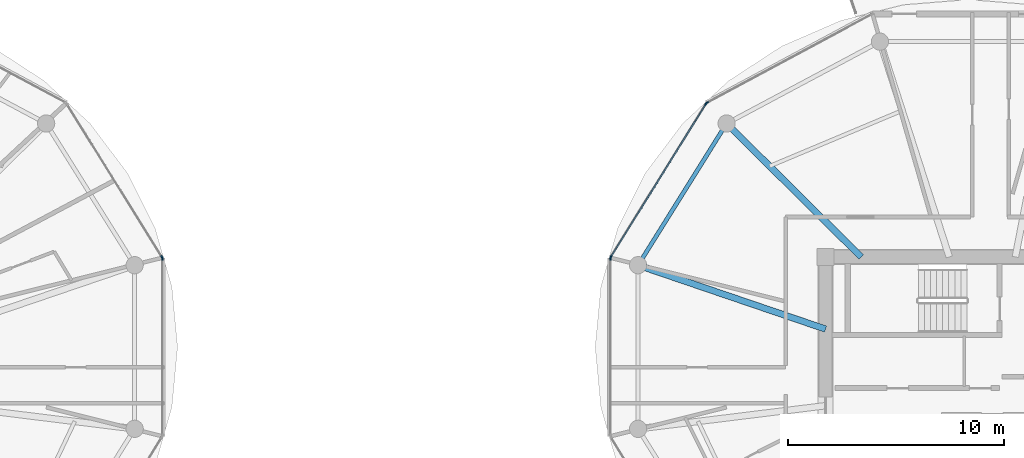
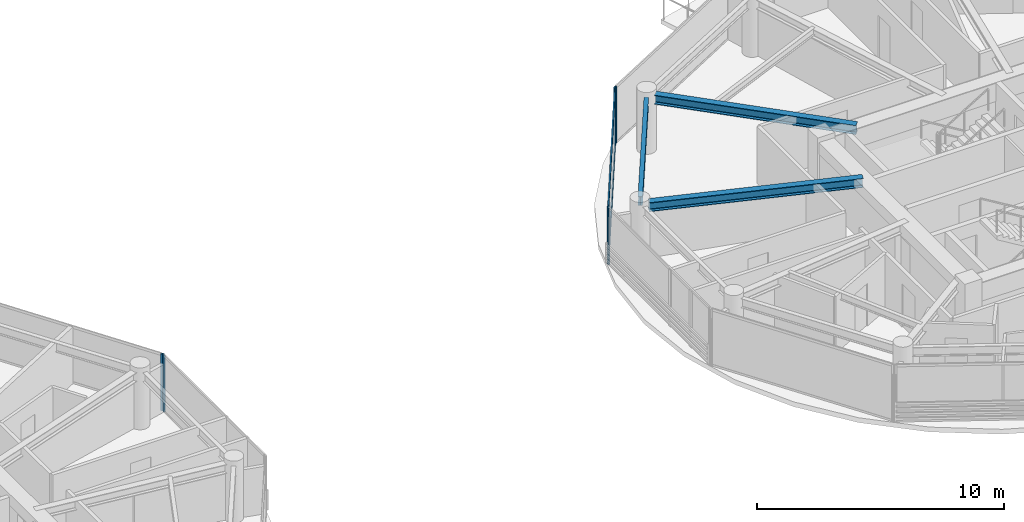
# One storey, part 7 of 22: 8 members, 3 beams, 5 elements without a shape of their own.
"""IFC4 building model written with IfcOpenShell, lengths in metres."""

import ifcopenshell
import ifcopenshell.guid

model = None  # the IFC model being written
_history = None  # IfcOwnerHistory: only IFC2X3 demands one
_inside = {}  # id of a spatial element -> (the spatial element, [elements in it])
_under = {}  # id of a project, library or spatial element -> (it, [spatial elements below it])
_declared = {}  # id of a project -> (the project, [libraries it declares])
_typed = {}  # id of a type object -> (the type object, [elements of that type])
_made_of = {}  # id of a material, layer set ... -> (it, [elements and type objects made of it])


def new_model(schema):
    """Start an empty IFC model of exactly this schema.

    Asked for "IFC4X3", IfcOpenShell would pick the latest addendum, in which some entities
    have other attributes; the version numbers below select the first issue.
    IFC2X3 requires an IfcOwnerHistory on every rooted entity: one is made here for all.
    """
    global model, _history
    if schema == "IFC4X3":
        model = ifcopenshell.file(schema_version=(4, 3, 0, 0))
    else:
        model = ifcopenshell.file(schema=schema)
    _inside.clear()
    _under.clear()
    _declared.clear()
    _typed.clear()
    _made_of.clear()
    _history = None
    if model.schema == "IFC2X3":
        org = make("IfcOrganization", Name="unknown")
        user = make(
            "IfcPersonAndOrganization",
            ThePerson=make("IfcPerson", FamilyName="unknown"),
            TheOrganization=org,
        )
        app = make(
            "IfcApplication",
            ApplicationDeveloper=org,
            Version="unknown",
            ApplicationFullName="unknown",
            ApplicationIdentifier="unknown",
        )
        _history = make(
            "IfcOwnerHistory",
            OwningUser=user,
            OwningApplication=app,
            ChangeAction="ADDED",
            CreationDate=0,
        )
    return model


def make(cls, **values):
    """One entity of the class cls with the attributes given. An attribute that is None is left unset."""
    return model.create_entity(
        cls, **{name: value for name, value in values.items() if value is not None}
    )


def rooted(cls, **values):
    """An entity with a GlobalId (a new one), such as an element, a storey or a relation."""
    return make(cls, GlobalId=ifcopenshell.guid.new(), OwnerHistory=_history, **values)


def si_unit(unit_type, name, prefix=None):
    """IfcSIUnit, for example si_unit("LENGTHUNIT", "METRE", prefix="MILLI")."""
    return make("IfcSIUnit", UnitType=unit_type, Prefix=prefix, Name=name)


def assignment(units):
    """IfcUnitAssignment: the units of a project."""
    return None if units is None else make("IfcUnitAssignment", Units=units)


def point(xyz):
    """IfcCartesianPoint."""
    return None if xyz is None else make("IfcCartesianPoint", Coordinates=xyz)


def direction(xyz):
    """IfcDirection."""
    return None if xyz is None else make("IfcDirection", DirectionRatios=xyz)


def frame(location, z_axis=None, x_axis=None):
    """IfcAxis2Placement3D, a coordinate frame: its origin and axes. An axis left out is left unset."""
    return make(
        "IfcAxis2Placement3D",
        Location=point(location),
        Axis=direction(z_axis),
        RefDirection=direction(x_axis),
    )


def frame_2d(location, x_axis=None):
    """IfcAxis2Placement2D, a coordinate frame in the plane: its origin and x axis."""
    return make(
        "IfcAxis2Placement2D", Location=point(location), RefDirection=direction(x_axis)
    )


def origin():
    """The frame at (0, 0, 0) with its axes left unset."""
    return frame((0.0, 0.0, 0.0))


def origin_2d():
    """The frame at (0, 0) in the plane with its x axis left unset."""
    return frame_2d((0.0, 0.0))


def place(relative_to, where):
    """IfcLocalPlacement: puts the frame where relative to a parent placement (None: the world)."""
    return make(
        "IfcLocalPlacement", PlacementRelTo=relative_to, RelativePlacement=where
    )


def context(
    kind, dimensions, precision=None, world=None, true_north=None, identifier=None
):
    """IfcGeometricRepresentationContext, for example the 3D "Model" context."""
    return make(
        "IfcGeometricRepresentationContext",
        ContextIdentifier=identifier,
        ContextType=kind,
        CoordinateSpaceDimension=dimensions,
        Precision=precision,
        WorldCoordinateSystem=world,
        TrueNorth=true_north,
    )


def subcontext(parent, identifier, kind, view, scale=None):
    """IfcGeometricRepresentationSubContext, for example "Body" below "Model"."""
    return make(
        "IfcGeometricRepresentationSubContext",
        ContextIdentifier=identifier,
        ContextType=kind,
        ParentContext=parent,
        TargetScale=scale,
        TargetView=view,
    )


def project(units=None, contexts=None):
    """IfcProject with its units and contexts."""
    return rooted(
        "IfcProject",
        Name="project",
        RepresentationContexts=contexts,
        UnitsInContext=assignment(units),
    )


def spatial(cls, under=None, at=None, **own):
    """A site, building, storey or space (cls), placed at a placement, below another one or the project."""
    s = rooted(cls, ObjectPlacement=at, **own)
    if under is not None:
        _under.setdefault(under.id(), (under, []))[1].append(s)
    return s


def profile(cls, at=None, kind="AREA", **sizes):
    """A parametric profile (cls). Its sizes go by their IFC names, for example OverallWidth=200.0."""
    return make(cls, ProfileType=kind, Position=at, **sizes)


def rectangle(**sizes):
    """IfcRectangleProfileDef."""
    return profile("IfcRectangleProfileDef", **sizes)


def i_section(**sizes):
    """IfcIShapeProfileDef."""
    return profile("IfcIShapeProfileDef", **sizes)


def extrude(swept, where, along, depth):
    """IfcExtrudedAreaSolid: the profile swept, set in the frame where, extruded along a direction by depth."""
    return make(
        "IfcExtrudedAreaSolid",
        SweptArea=swept,
        Position=where,
        ExtrudedDirection=direction(along),
        Depth=depth,
    )


def shape(context_of_items, identifier, shape_type, items):
    """IfcShapeRepresentation: the items that make up one representation, for example the "Body"."""
    return make(
        "IfcShapeRepresentation",
        ContextOfItems=context_of_items,
        RepresentationIdentifier=identifier,
        RepresentationType=shape_type,
        Items=items,
    )


def source(mapping_origin, context_of_items, identifier, shape_type, items):
    """IfcRepresentationMap: a shape defined once, which mapped items show again and again."""
    return make(
        "IfcRepresentationMap",
        MappingOrigin=mapping_origin,
        MappedRepresentation=shape(context_of_items, identifier, shape_type, items),
    )


def transform(
    local_origin,
    x_axis=None,
    y_axis=None,
    z_axis=None,
    scale=None,
    scale2=None,
    scale3=None,
    uniform=True,
):
    """IfcCartesianTransformationOperator3D, or its non-uniform kind. x_axis, y_axis, z_axis: its Axis1, 2, 3."""
    if uniform:
        return make(
            "IfcCartesianTransformationOperator3D",
            Axis1=direction(x_axis),
            Axis2=direction(y_axis),
            LocalOrigin=point(local_origin),
            Scale=scale,
            Axis3=direction(z_axis),
        )
    return make(
        "IfcCartesianTransformationOperator3DnonUniform",
        Axis1=direction(x_axis),
        Axis2=direction(y_axis),
        LocalOrigin=point(local_origin),
        Scale=scale,
        Axis3=direction(z_axis),
        Scale2=scale2,
        Scale3=scale3,
    )


def mapped(mapping_source, mapping_target):
    """IfcMappedItem: shows the shape of a source again, moved by a transform."""
    return make(
        "IfcMappedItem", MappingSource=mapping_source, MappingTarget=mapping_target
    )


def material(Name=None, Category=None):
    """IfcMaterial."""
    return make("IfcMaterial", Name=Name, Category=Category)


def layer(
    of_material, thickness, ventilated=None, Name=None, Category=None, Priority=None
):
    """IfcMaterialLayer: one layer of a wall or slab, of a material (None: an air gap)."""
    return make(
        "IfcMaterialLayer",
        Material=of_material,
        LayerThickness=thickness,
        IsVentilated=ventilated,
        Name=Name,
        Category=Category,
        Priority=Priority,
    )


def layer_set(layers, Name=None):
    """IfcMaterialLayerSet."""
    return make("IfcMaterialLayerSet", MaterialLayers=layers, LayerSetName=Name)


def material_profile(
    of_material, cross_section, Name=None, Category=None, Priority=None
):
    """IfcMaterialProfile: a cross section and its material."""
    return make(
        "IfcMaterialProfile",
        Name=Name,
        Material=of_material,
        Profile=cross_section,
        Priority=Priority,
        Category=Category,
    )


def profile_set(profiles, Name=None, composite=None):
    """IfcMaterialProfileSet."""
    return make(
        "IfcMaterialProfileSet",
        Name=Name,
        MaterialProfiles=profiles,
        CompositeProfile=composite,
    )


def made_of(thing, what):
    """Note that an element or type object is made of a material, layer set ...; save() writes the relation."""
    if what is not None:
        _made_of.setdefault(what.id(), (what, []))[1].append(thing)
    return thing


def type_object(cls, material=None, **own):
    """A type object (cls), such as IfcWallType, which elements share."""
    return made_of(rooted(cls, **own), material)


def type_shapes(of_type, sources):
    """Give a type object the sources (RepresentationMaps) that its elements show as mapped items."""
    of_type.RepresentationMaps = sources


def element(
    cls,
    number,
    at=None,
    inside=None,
    cuts=None,
    type_object=None,
    material=None,
    context=None,
    identifier="Body",
    shape_type=None,
    held_by="IfcProductDefinitionShape",
    body=None,
    shapes=None,
    **own,
):
    """One element of the class cls, such as IfcWall. Its Tag is "e" and its number.

    at: its placement. inside: the storey or other place that contains it. cuts: it is an
    opening in that element (IfcRelVoidsElement). A single representation is given by context,
    identifier, shape_type and body (its items); several are given by shapes. held_by: the class
    of the entity that holds the representations. save() writes the other relations.
    """
    e = rooted(cls, Tag="e%d" % number, ObjectPlacement=at, **own)
    if body is not None:
        shapes = [shape(context, identifier, shape_type, body)]
    if shapes is not None:
        e.Representation = make(held_by, Representations=shapes)
    if inside is not None:
        _inside.setdefault(inside.id(), (inside, []))[1].append(e)
    if cuts is not None:
        rooted(
            "IfcRelVoidsElement", RelatingBuildingElement=cuts, RelatedOpeningElement=e
        )
    if type_object is not None:
        _typed.setdefault(type_object.id(), (type_object, []))[1].append(e)
    return made_of(e, material)


def aggregate(whole, parts):
    """IfcRelAggregates: a whole, such as a stair, and the parts it consists of."""
    return rooted("IfcRelAggregates", RelatingObject=whole, RelatedObjects=parts)


def save(model, path):
    """Write the relations noted so far, then the file.

    IfcRelAggregates (storeys below a building ...), IfcRelContainedInSpatialStructure (elements
    in a storey), IfcRelDefinesByType, IfcRelAssociatesMaterial and IfcRelDeclares: one each for
    every whole, place, type object, material and project.
    """
    for whole, parts in _under.values():
        aggregate(whole, parts)
    for where, things in _inside.values():
        rooted(
            "IfcRelContainedInSpatialStructure",
            RelatedElements=things,
            RelatingStructure=where,
        )
    for kind, things in _typed.values():
        rooted("IfcRelDefinesByType", RelatedObjects=things, RelatingType=kind)
    for what, things in _made_of.values():
        rooted("IfcRelAssociatesMaterial", RelatedObjects=things, RelatingMaterial=what)
    for by, libraries in _declared.values():
        rooted("IfcRelDeclares", RelatingContext=by, RelatedDefinitions=libraries)
    model.write(path)


model = new_model("IFC4")

# Units and contexts
model_context = context("Model", 3, precision=1e-05, world=origin(), true_north=direction((0.0, 1.0)))
body_context = subcontext(model_context, "Body", "Model", "MODEL_VIEW")
ifc_project = project(units=[si_unit("LENGTHUNIT", "METRE"), si_unit("AREAUNIT", "SQUARE_METRE"), si_unit("VOLUMEUNIT", "CUBIC_METRE"), si_unit("PLANEANGLEUNIT", "RADIAN"), si_unit("MASSUNIT", "GRAM", prefix="KILO")], contexts=[model_context])

# Site, building, storey
site_placement = place(None, origin())
site = spatial("IfcSite", under=ifc_project, at=site_placement, CompositionType="ELEMENT")
building_placement = place(site_placement, origin())
building = spatial("IfcBuilding", under=site, at=building_placement, Name="Norrkilde Senior Care Towers", CompositionType="ELEMENT")
storey_placement = place(building_placement, frame((0.0, 0.0, 170.89990234375)))
storey = spatial("IfcBuildingStorey", under=building, at=storey_placement, Name="L53", CompositionType="ELEMENT", Elevation=170.89990234375)

# Beams
ifc_material_1 = material(Name="Steel S355", Category="steel")
ifc_material_profile_1 = material_profile(ifc_material_1, i_section(OverallWidth=0.18994140625, OverallDepth=0.449951171875, WebThickness=0.009521484375, FlangeThickness=0.0146484375, FilletRadius=0.02099609375, at=origin_2d()), Name="IPE 450")
ifc_profile_set_1 = profile_set([ifc_material_profile_1], Name="Steel S355")
beam_type_1 = type_object("IfcBeamType", Name="Perimeter Ring Spandrel Z3 IPE450", PredefinedType="SPANDREL", material=ifc_profile_set_1)
shared_shape_1 = source(origin(), body_context, "Body", "SweptSolid", [
    extrude(i_section(OverallWidth=0.18994140625, OverallDepth=0.449951171875, WebThickness=0.009521484375, FlangeThickness=0.0146484375, FilletRadius=0.02099609375, at=origin_2d()), origin(), (0.0, 0.0, 1.0), 7.0234375),
])
type_shapes(beam_type_1, [shared_shape_1])
beam_1_placement = place(storey_placement, frame((15.57666015625, 11.8291015625, 2.585205078125), z_axis=(-0.529789577822, -0.848129119433, 0.0), x_axis=(0.848129119433, -0.529789577822, 0.0)))
element("IfcBeam", 1, at=beam_1_placement, inside=storey, type_object=beam_type_1, Name="L53 Drum E Perimeter Spandrel 05", PredefinedType="SPANDREL", context=body_context, shape_type="MappedRepresentation", body=[
    mapped(shared_shape_1, transform((0.0, 0.0, 0.0), x_axis=(1.0, 0.0, 0.0), y_axis=(0.0, 1.0, 0.0), z_axis=(0.0, 0.0, 1.0), scale=1.0)),
])
ifc_material_profile_2 = material_profile(ifc_material_1, i_section(OverallWidth=0.300048828125, OverallDepth=0.449951171875, WebThickness=0.013916015625, FlangeThickness=0.02587890625, FilletRadius=0.027099609375, at=origin_2d()), Name="HEB 450")
ifc_profile_set_2 = profile_set([ifc_material_profile_2], Name="Steel S355")
beam_type_2 = type_object("IfcBeamType", Name="Radial Floor Beam Z3 HEB450", PredefinedType="BEAM", material=ifc_profile_set_2)
shared_shape_2 = source(origin(), body_context, "Body", "SweptSolid", [
    extrude(i_section(OverallWidth=0.300048828125, OverallDepth=0.449951171875, WebThickness=0.013916015625, FlangeThickness=0.02587890625, FilletRadius=0.027099609375, at=origin_2d()), origin(), (0.0, 0.0, 1.0), 8.8154296875),
])
beam_2_placement = place(storey_placement, frame((20.35009765625, 2.607177734375, 2.585205078125), z_axis=(-0.946540556878, 0.322584832539, 0.0), x_axis=(-0.322584832539, -0.946540556878, 0.0)))
element("IfcBeam", 2, at=beam_2_placement, inside=storey, type_object=beam_type_2, Name="L53 Drum E Radial Floor Beam 06", PredefinedType="BEAM", context=body_context, shape_type="MappedRepresentation", body=[
    mapped(shared_shape_2, transform((0.0, 0.0, 0.0), x_axis=(1.0, 0.0, 0.0), y_axis=(0.0, 1.0, 0.0), z_axis=(0.0, 0.0, 1.0), scale=1.0)),
])
shared_shape_3 = source(origin(), body_context, "Body", "SweptSolid", [
    extrude(i_section(OverallWidth=0.300048828125, OverallDepth=0.449951171875, WebThickness=0.013916015625, FlangeThickness=0.02587890625, FilletRadius=0.027099609375, at=origin_2d()), origin(), (0.0, 0.0, 1.0), 8.421630859375),
])
type_shapes(beam_type_2, [shared_shape_2, shared_shape_3])
beam_3_placement = place(storey_placement, frame((22.001953125, 5.949951171875, 2.585205078125), z_axis=(-0.709956495972, 0.704245535184, 0.0), x_axis=(-0.704245535184, -0.709956495972, 0.0)))
element("IfcBeam", 3, at=beam_3_placement, inside=storey, type_object=beam_type_2, Name="L53 Drum E Radial Floor Beam 05", PredefinedType="BEAM", context=body_context, shape_type="MappedRepresentation", body=[
    mapped(shared_shape_3, transform((0.0, 0.0, 0.0), x_axis=(1.0, 0.0, 0.0), y_axis=(0.0, 1.0, 0.0), z_axis=(0.0, 0.0, 1.0), scale=1.0)),
])

# Curtain wall, member
ifc_material_2 = material(Name="Triple Low-E Insulated Glazing", Category="glass")
ifc_layer = layer(ifc_material_2, 0.18994140625)
ifc_layer_set = layer_set([ifc_layer], Name="Triple Low-E Insulated Glazing")
curtain_wall_type = type_object("IfcCurtainWallType", Name="CW4 Zone 3 Senior Residence Curtain Wall", PredefinedType="NOTDEFINED", material=ifc_layer_set)
curtain_wall_1_placement = place(storey_placement, origin())
curtain_wall_1 = element("IfcCurtainWall", 4, at=curtain_wall_1_placement, inside=storey, type_object=curtain_wall_type, Name="L53 Drum W Curtain Wall 00", PredefinedType="NOTDEFINED")
ifc_material_3 = material(Name="Anodised Aluminium", Category="aluminium")
ifc_material_profile_3 = material_profile(ifc_material_3, rectangle(XDim=0.06494140625, YDim=0.14990234375, at=origin_2d()), Name="ALU MULL 65x150")
ifc_profile_set_3 = profile_set([ifc_material_profile_3], Name="Anodised Aluminium")
member_type_1 = type_object("IfcMemberType", Name="Curtain Wall Mullion Z3-Z4 65x150", PredefinedType="MULLION", material=ifc_profile_set_3)
shared_shape_4 = source(origin(), body_context, "Body", "SweptSolid", [
    extrude(rectangle(XDim=0.06494140625, YDim=0.14990234375, at=origin_2d()), origin(), (0.0, 0.0, 1.0), 2.81005859375),
])
type_shapes(member_type_1, [shared_shape_4])
member_1_placement = place(storey_placement, frame((-10.3974609375, 5.93896484375, 0.0), z_axis=(0.0, 0.0, 1.0), x_axis=(0.84963405474, 0.52737270789, 0.0)))
member_1 = element("IfcMember", 5, at=member_1_placement, type_object=member_type_1, Name="CW-4 mullion 2", PredefinedType="MULLION", context=body_context, shape_type="MappedRepresentation", body=[
    mapped(shared_shape_4, transform((0.0, 0.0, 0.0), x_axis=(1.0, 0.0, 0.0), y_axis=(0.0, 1.0, 0.0), z_axis=(0.0, 0.0, 1.0), scale=1.0)),
])
aggregate(curtain_wall_1, [member_1])

curtain_wall_2_placement = place(storey_placement, origin())
curtain_wall_2 = element("IfcCurtainWall", 6, at=curtain_wall_2_placement, inside=storey, type_object=curtain_wall_type, Name="L53 Drum W Curtain Wall 11", PredefinedType="NOTDEFINED")
member_2_placement = place(storey_placement, frame((-10.38037109375, 5.878662109375, 0.0), z_axis=(0.0, 0.0, 1.0), x_axis=(1.0, 0.0, 0.0)))
member_2 = element("IfcMember", 7, at=member_2_placement, type_object=member_type_1, Name="CW-4 mullion 1", PredefinedType="MULLION", context=body_context, shape_type="MappedRepresentation", body=[
    mapped(shared_shape_4, transform((0.0, 0.0, 0.0), x_axis=(1.0, 0.0, 0.0), y_axis=(0.0, 1.0, 0.0), z_axis=(0.0, 0.0, 1.0), scale=1.0)),
])
aggregate(curtain_wall_2, [member_2])

curtain_wall_3_placement = place(storey_placement, origin())
curtain_wall_3 = element("IfcCurtainWall", 8, at=curtain_wall_3_placement, inside=storey, type_object=curtain_wall_type, Name="L53 Drum E Curtain Wall 03", PredefinedType="NOTDEFINED")
member_3_placement = place(storey_placement, frame((14.85546875, 13.09033203125, 0.0), z_axis=(0.0, 0.0, 1.0), x_axis=(-0.47311715104, 0.880999524059, 0.0)))
member_3 = element("IfcMember", 9, at=member_3_placement, type_object=member_type_1, Name="CW-4 mullion 1", PredefinedType="MULLION", context=body_context, shape_type="MappedRepresentation", body=[
    mapped(shared_shape_4, transform((0.0, 0.0, 0.0), x_axis=(1.0, 0.0, 0.0), y_axis=(0.0, 1.0, 0.0), z_axis=(0.0, 0.0, 1.0), scale=1.0)),
])
aggregate(curtain_wall_3, [member_3])

# Curtain wall, members
curtain_wall_4_placement = place(storey_placement, origin())
curtain_wall_4 = element("IfcCurtainWall", 10, at=curtain_wall_4_placement, inside=storey, type_object=curtain_wall_type, Name="L53 Drum E Curtain Wall 04", PredefinedType="NOTDEFINED")
member_4_placement = place(storey_placement, frame((10.3974609375, 5.93896484375, 0.0), z_axis=(0.0, 0.0, 1.0), x_axis=(-0.84963405474, 0.52737270789, 0.0)))
member_4 = element("IfcMember", 11, at=member_4_placement, type_object=member_type_1, Name="CW-4 mullion 1", PredefinedType="MULLION", context=body_context, shape_type="MappedRepresentation", body=[
    mapped(shared_shape_4, transform((0.0, 0.0, 0.0), x_axis=(1.0, 0.0, 0.0), y_axis=(0.0, 1.0, 0.0), z_axis=(0.0, 0.0, 1.0), scale=1.0)),
])
member_5_placement = place(storey_placement, frame((14.809814453125, 13.04736328125, 0.0), z_axis=(0.0, 0.0, 1.0), x_axis=(-0.84963405474, 0.52737270789, 0.0)))
member_5 = element("IfcMember", 12, at=member_5_placement, type_object=member_type_1, Name="CW-4 mullion 2", PredefinedType="MULLION", context=body_context, shape_type="MappedRepresentation", body=[
    mapped(shared_shape_4, transform((0.0, 0.0, 0.0), x_axis=(1.0, 0.0, 0.0), y_axis=(0.0, 1.0, 0.0), z_axis=(0.0, 0.0, 1.0), scale=1.0)),
])

# Curtain wall, member
curtain_wall_5_placement = place(storey_placement, origin())
curtain_wall_5 = element("IfcCurtainWall", 13, at=curtain_wall_5_placement, inside=storey, type_object=curtain_wall_type, Name="L53 Drum E Curtain Wall 05", PredefinedType="NOTDEFINED")
member_6_placement = place(storey_placement, frame((10.38037109375, 5.878662109375, 0.0), z_axis=(0.0, 0.0, 1.0), x_axis=(-1.0, 0.0, 0.0)))
member_6 = element("IfcMember", 14, at=member_6_placement, type_object=member_type_1, Name="CW-4 mullion 2", PredefinedType="MULLION", context=body_context, shape_type="MappedRepresentation", body=[
    mapped(shared_shape_4, transform((0.0, 0.0, 0.0), x_axis=(1.0, 0.0, 0.0), y_axis=(0.0, 1.0, 0.0), z_axis=(0.0, 0.0, 1.0), scale=1.0)),
])
aggregate(curtain_wall_5, [member_6])

# Member
ifc_material_profile_4 = material_profile(ifc_material_3, rectangle(XDim=0.06005859375, YDim=0.1201171875, at=origin_2d()), Name="ALU TRAN 60x120")
ifc_profile_set_4 = profile_set([ifc_material_profile_4], Name="Anodised Aluminium")
member_type_2 = type_object("IfcMemberType", Name="Curtain Wall Transom Typical 60x120", PredefinedType="USERDEFINED", material=ifc_profile_set_4)
shared_shape_5 = source(origin(), body_context, "Body", "SweptSolid", [
    extrude(rectangle(XDim=0.06005859375, YDim=0.1201171875, at=origin_2d()), origin(), (0.0, 0.0, 1.0), 8.301513671875),
])
type_shapes(member_type_2, [shared_shape_5])
member_7_placement = place(storey_placement, frame((10.414794921875, 5.966552734375, 0.030029296875), z_axis=(0.527368718394, 0.849636531029, 0.0), x_axis=(-0.849636531029, 0.527368718394, 0.0)))
member_7 = element("IfcMember", 15, at=member_7_placement, type_object=member_type_2, Name="CW-4 transom 1.1", ObjectType="TRANSOM", PredefinedType="USERDEFINED", context=body_context, shape_type="MappedRepresentation", body=[
    mapped(shared_shape_5, transform((0.0, 0.0, 0.0), x_axis=(1.0, 0.0, 0.0), y_axis=(0.0, 1.0, 0.0), z_axis=(0.0, 0.0, 1.0), scale=1.0)),
])

member_8_placement = place(storey_placement, frame((10.414794921875, 5.966552734375, 2.780029296875), z_axis=(0.527368718394, 0.849636531029, 0.0), x_axis=(-0.849636531029, 0.527368718394, 0.0)))
member_8 = element("IfcMember", 16, at=member_8_placement, type_object=member_type_2, Name="CW-4 transom 1.2", ObjectType="TRANSOM", PredefinedType="USERDEFINED", context=body_context, shape_type="MappedRepresentation", body=[
    mapped(shared_shape_5, transform((0.0, 0.0, 0.0), x_axis=(1.0, 0.0, 0.0), y_axis=(0.0, 1.0, 0.0), z_axis=(0.0, 0.0, 1.0), scale=1.0)),
])

aggregate(curtain_wall_4, [member_4, member_5, member_7, member_8])

save(model, "model.ifc")
